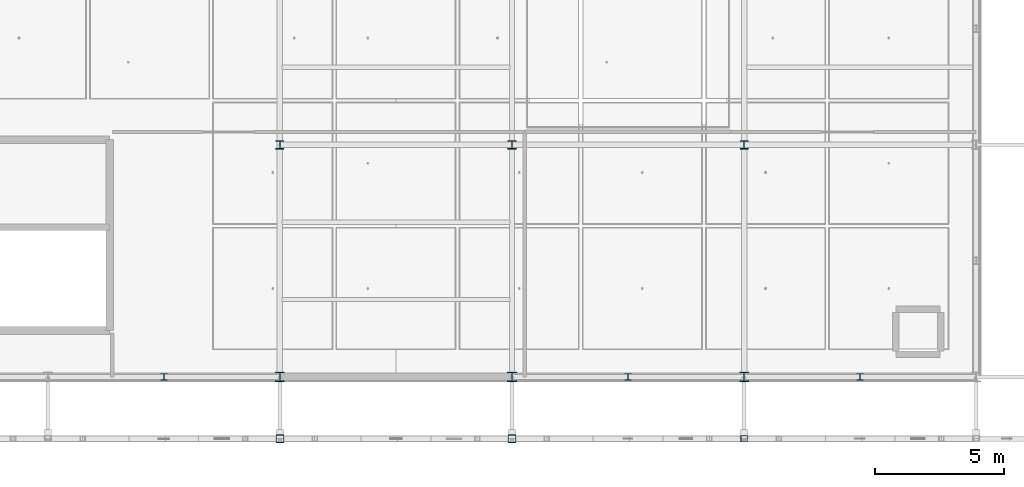
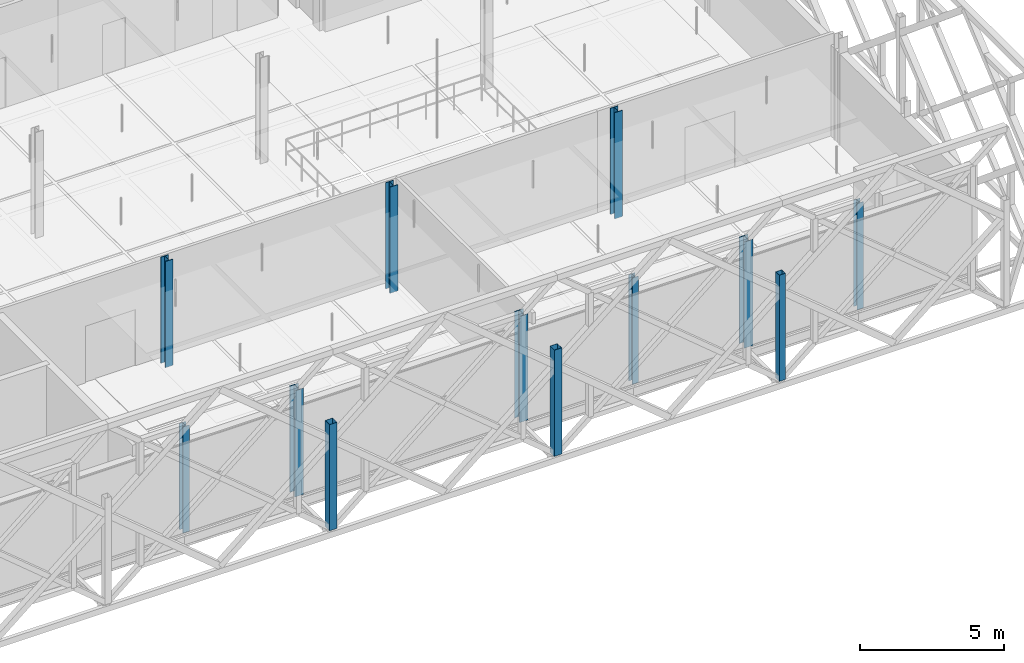
# One storey, part 5 of 66: 12 columns.
"""IFC4 building model written with IfcOpenShell, lengths in metres."""

from ifc_helpers import new_model, si_unit, direction, frame, origin, origin_2d, place, context, subcontext, project, spatial, hollow_rectangle, i_section, extrude, material, material_profile, profile_set, type_object, element, save


model = new_model("IFC4")

# Units and contexts
model_context = context("Model", 3, precision=1e-05, world=origin(), true_north=direction((0.0, 1.0)))
body_context = subcontext(model_context, "Body", "Model", "MODEL_VIEW")
ifc_project = project(units=[si_unit("LENGTHUNIT", "METRE"), si_unit("AREAUNIT", "SQUARE_METRE"), si_unit("VOLUMEUNIT", "CUBIC_METRE"), si_unit("PLANEANGLEUNIT", "RADIAN"), si_unit("MASSUNIT", "GRAM", prefix="KILO"), si_unit("THERMODYNAMICTEMPERATUREUNIT", "KELVIN"), si_unit("POWERUNIT", "WATT")], contexts=[model_context])

# Site, building, storey
site_placement = place(None, origin())
site = spatial("IfcSite", under=ifc_project, at=site_placement, CompositionType="ELEMENT")
building_placement = place(site_placement, origin())
building = spatial("IfcBuilding", under=site, at=building_placement, Name="Tallowbark Science Centre", CompositionType="ELEMENT")
storey_placement = place(building_placement, frame((0.0, 0.0, 18.89990234375)))
storey = spatial("IfcBuildingStorey", under=building, at=storey_placement, Name="L04", CompositionType="ELEMENT", Elevation=18.89990234375)

# Columns
ifc_material_1 = material(Name="White Architectural Painted Steel Grade C350L0 (350 MPa)", Category="steel")
ifc_material_profile_1 = material_profile(ifc_material_1, hollow_rectangle(XDim=0.25, YDim=0.25, WallThickness=0.009033203125, at=origin_2d()), Name="250x250x9.0SHS")
ifc_profile_set_1 = profile_set([ifc_material_profile_1], Name="White Architectural Painted Steel Grade C350L0 (350 MPa)")
column_type_1 = type_object("IfcColumnType", Name="COL-SCR200", PredefinedType="COLUMN", material=ifc_profile_set_1)
column_placement = place(storey_placement, frame((94.5, 2.10009765625, 0.0), z_axis=(0.0, 0.0, 1.0), x_axis=(1.0, 0.0, 0.0)))
element("IfcColumn", 1, at=column_placement, inside=storey, type_object=column_type_1, Name="Column SCR-S05 L04", PredefinedType="COLUMN", context=body_context, shape_type="SweptSolid", body=[
    extrude(hollow_rectangle(XDim=0.25, YDim=0.25, WallThickness=0.009033203125, at=origin_2d()), origin(), (0.0, 0.0, 1.0), 4.5),
])
ifc_material_profile_2 = material_profile(ifc_material_1, hollow_rectangle(XDim=0.300048828125, YDim=0.300048828125, WallThickness=0.010009765625, at=origin_2d()), Name="300x300x10.0SHS")
ifc_profile_set_2 = profile_set([ifc_material_profile_2], Name="White Architectural Painted Steel Grade C350L0 (350 MPa)")
column_type_2 = type_object("IfcColumnType", Name="COL-SCR300", PredefinedType="COLUMN", material=ifc_profile_set_2)
for number, where, z_axis, x_axis, name in (
    (2, (76.5, 2.10009765625, 0.0), (0.0, 0.0, 1.0), (1.0, 0.0, 0.0), "Column SCR-S03 L04"),
    (3, (85.5, 2.10009765625, 0.0), (0.0, 0.0, 1.0), (1.0, 0.0, 0.0), "Column SCR-S04 L04"),
):
    element("IfcColumn", number, at=place(storey_placement, frame(where, z_axis=z_axis, x_axis=x_axis)), inside=storey, type_object=column_type_2, Name=name, PredefinedType="COLUMN", context=body_context, shape_type="SweptSolid", body=[
        extrude(hollow_rectangle(XDim=0.300048828125, YDim=0.300048828125, WallThickness=0.010009765625, at=origin_2d()), origin(), (0.0, 0.0, 1.0), 4.5),
    ])
ifc_material_2 = material(Name="Structural Steel Grade 300PLUS (300 MPa)", Category="steel")
ifc_material_profile_3 = material_profile(ifc_material_2, i_section(OverallWidth=0.311279296875, OverallDepth=0.3271484375, WebThickness=0.015625, FlangeThickness=0.02490234375, FilletRadius=0.0166015625, at=origin_2d()), Name="310UC158")
ifc_profile_set_3 = profile_set([ifc_material_profile_3], Name="Structural Steel Grade 300PLUS (300 MPa)")
column_type_3 = type_object("IfcColumnType", Name="COL-UC310A", PredefinedType="COLUMN", material=ifc_profile_set_3)
for number, where, z_axis, x_axis, name in (
    (4, (76.5, 13.5, 0.0), (0.0, 0.0, 1.0), (1.0, 0.0, 0.0), "Column CUB-M2_1 L04"),
    (5, (85.5, 13.5, 0.0), (0.0, 0.0, 1.0), (1.0, 0.0, 0.0), "Column CUB-M3_1 L04"),
    (6, (94.5, 13.5, 0.0), (0.0, 0.0, 1.0), (1.0, 0.0, 0.0), "Column CUB-M4_1 L04"),
):
    element("IfcColumn", number, at=place(storey_placement, frame(where, z_axis=z_axis, x_axis=x_axis)), inside=storey, type_object=column_type_3, Name=name, PredefinedType="COLUMN", context=body_context, shape_type="SweptSolid", body=[
        extrude(i_section(OverallWidth=0.311279296875, OverallDepth=0.3271484375, WebThickness=0.015625, FlangeThickness=0.02490234375, FilletRadius=0.0166015625, at=origin_2d()), origin(), (0.0, 0.0, 1.0), 4.5),
    ])
ifc_material_profile_4 = material_profile(ifc_material_2, i_section(OverallWidth=0.35009765625, OverallDepth=0.35888671875, WebThickness=0.01611328125, FlangeThickness=0.02392578125, FilletRadius=0.013916015625, at=origin_2d()), Name="350WC197")
ifc_profile_set_4 = profile_set([ifc_material_profile_4], Name="Structural Steel Grade 300PLUS (300 MPa)")
column_type_4 = type_object("IfcColumnType", Name="COL-WC350", PredefinedType="COLUMN", material=ifc_profile_set_4)
for number, where, z_axis, x_axis, name in (
    (7, (76.5, 4.5, 0.0), (0.0, 0.0, 1.0), (1.0, 0.0, 0.0), "Column CUB-M2_0 L04"),
    (8, (85.5, 4.5, 0.0), (0.0, 0.0, 1.0), (1.0, 0.0, 0.0), "Column CUB-M3_0 L04"),
    (9, (94.5, 4.5, 0.0), (0.0, 0.0, 1.0), (1.0, 0.0, 0.0), "Column CUB-M4_0 L04"),
):
    element("IfcColumn", number, at=place(storey_placement, frame(where, z_axis=z_axis, x_axis=x_axis)), inside=storey, type_object=column_type_4, Name=name, PredefinedType="COLUMN", context=body_context, shape_type="SweptSolid", body=[
        extrude(i_section(OverallWidth=0.35009765625, OverallDepth=0.35888671875, WebThickness=0.01611328125, FlangeThickness=0.02392578125, FilletRadius=0.013916015625, at=origin_2d()), origin(), (0.0, 0.0, 1.0), 4.5),
    ])
ifc_material_profile_5 = material_profile(ifc_material_2, i_section(OverallWidth=0.256103515625, OverallDepth=0.260009765625, WebThickness=0.010498046875, FlangeThickness=0.017333984375, FilletRadius=0.013916015625, at=origin_2d()), Name="250UC89.5")
ifc_profile_set_5 = profile_set([ifc_material_profile_5], Name="Structural Steel Grade 300PLUS (300 MPa)")
column_type_5 = type_object("IfcColumnType", Name="PIL-UC250", PredefinedType="PILASTER", material=ifc_profile_set_5)
for number, where, z_axis, x_axis, name in (
    (10, (72.0, 4.5, 0.0), (0.0, 0.0, 1.0), (1.0, 0.0, 0.0), "Column CUB-PS-1 L04"),
    (11, (90.0, 4.5, 0.0), (0.0, 0.0, 1.0), (1.0, 0.0, 0.0), "Column CUB-PS-3 L04"),
    (12, (99.0, 4.5, 0.0), (0.0, 0.0, 1.0), (1.0, 0.0, 0.0), "Column CUB-PS-4 L04"),
):
    element("IfcColumn", number, at=place(storey_placement, frame(where, z_axis=z_axis, x_axis=x_axis)), inside=storey, type_object=column_type_5, Name=name, PredefinedType="PILASTER", context=body_context, shape_type="SweptSolid", body=[
        extrude(i_section(OverallWidth=0.256103515625, OverallDepth=0.260009765625, WebThickness=0.010498046875, FlangeThickness=0.017333984375, FilletRadius=0.013916015625, at=origin_2d()), origin(), (0.0, 0.0, 1.0), 4.5),
    ])

save(model, "model.ifc")
